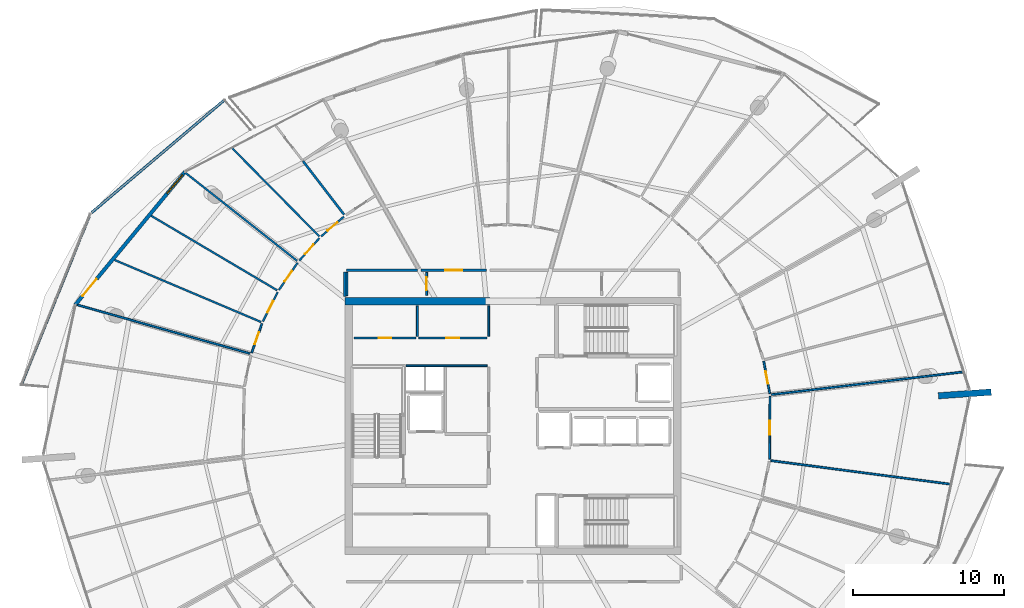
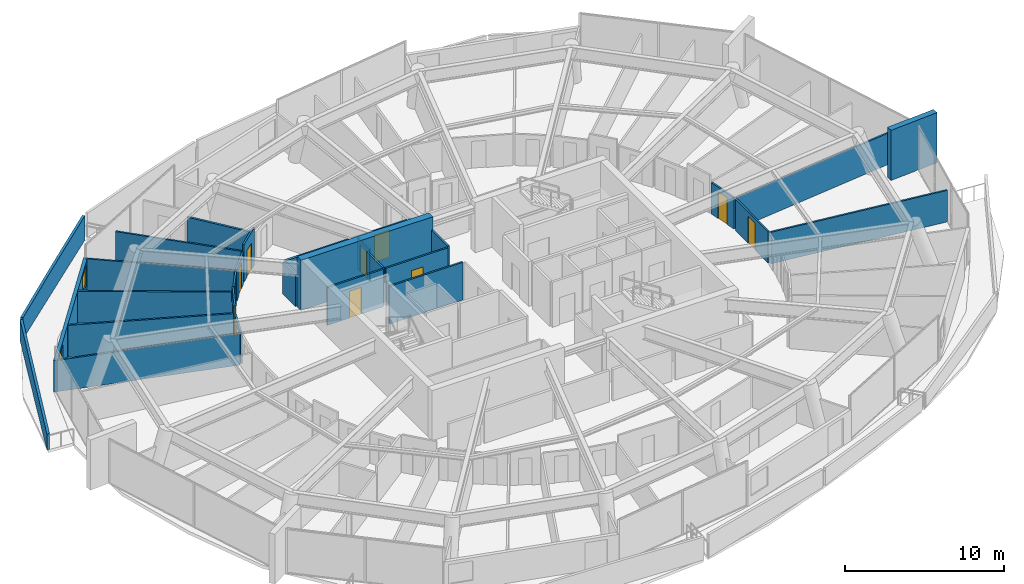
# One storey, part 21 of 30: 30 walls, 12 doors, 1 window, 13 openings.
"""IFC4 building model written with IfcOpenShell, lengths in metres."""

from ifc_helpers import new_model, si_unit, direction, frame, frame_2d, origin, place, context, subcontext, project, spatial, polyline, rectangle, outline, extrude, material, layer, layer_set, type_object, element, fill, save


model = new_model("IFC4")

# Units and contexts
model_context = context("Model", 3, precision=1e-05, world=origin(), true_north=direction((0.0, 1.0)))
body_context = subcontext(model_context, "Body", "Model", "MODEL_VIEW")
ifc_project = project(units=[si_unit("LENGTHUNIT", "METRE"), si_unit("AREAUNIT", "SQUARE_METRE"), si_unit("VOLUMEUNIT", "CUBIC_METRE"), si_unit("PLANEANGLEUNIT", "RADIAN"), si_unit("MASSUNIT", "GRAM", prefix="KILO")], contexts=[model_context])

# Site, building, storey
site_placement = place(None, origin())
site = spatial("IfcSite", under=ifc_project, at=site_placement, CompositionType="ELEMENT")
building_placement = place(site_placement, origin())
building = spatial("IfcBuilding", under=site, at=building_placement, Name="Kazma Halo Residences", CompositionType="ELEMENT")
storey_placement = place(building_placement, frame((0.0, 0.0, 302.14990234375)))
storey = spatial("IfcBuildingStorey", under=building, at=storey_placement, Name="L76", CompositionType="ELEMENT", Elevation=302.14990234375)

# Walls
ifc_material_1 = material(Name="White Concrete C50/60 Balustrade", Category="concrete")
ifc_layer_1 = layer(ifc_material_1, 0.179931640625)
ifc_layer_set_1 = layer_set([ifc_layer_1], Name="White Concrete C50/60 Balustrade")
wall_type_1 = type_object("IfcWallType", Name="WL-BAL-WAVE-180", PredefinedType="PARAPET", material=ifc_layer_set_1)
wall_1_placement = place(storey_placement, frame((29.34765625, 63.571044921875, 0.0), z_axis=(0.0, 0.0, 1.0), x_axis=(-0.762735629532, -0.646710413896, 0.0)))
element("IfcWall", 1, at=wall_1_placement, inside=storey, type_object=wall_type_1, Name="L76 white wave balustrade wall NW.1", PredefinedType="PARAPET", context=body_context, shape_type="SweptSolid", body=[
    extrude(outline(polyline([(0.0, 0.0), (11.53515625, 0.0), (11.53515625, 1.632080078125), (5.767578125, 1.798095703125), (0.0, 1.860107421875), (0.0, 0.0)])), frame((0.0, 0.08984375, 0.0), z_axis=(0.0, -1.0, 0.0), x_axis=(1.0, 0.0, 0.0)), (0.0, 0.0, 1.0), 0.179931640625),
])
wall_2_placement = place(storey_placement, frame((20.4130859375, 55.922119140625, 0.0), z_axis=(0.0, 0.0, 1.0), x_axis=(-0.374094279698, -0.927390678138, 0.0)))
element("IfcWall", 2, at=wall_2_placement, inside=storey, type_object=wall_type_1, Name="L76 white wave balustrade wall NW.2", PredefinedType="PARAPET", context=body_context, shape_type="SweptSolid", body=[
    extrude(outline(polyline([(0.0, 0.0), (12.07470703125, 0.0), (12.07470703125, 1.233154296875), (6.037353515625, 1.418212890625), (0.0, 1.632080078125), (0.0, 0.0)])), frame((0.0, 0.08984375, 0.0), z_axis=(0.0, -1.0, 0.0), x_axis=(1.0, 0.0, 0.0)), (0.0, 0.0, 1.0), 0.179931640625),
])
ifc_material_2 = material(Name="Pale Concrete C60/75", Category="concrete")
ifc_layer_2 = layer(ifc_material_2, 0.419921875)
ifc_layer_set_2 = layer_set([ifc_layer_2], Name="Pale Concrete C60/75")
wall_type_2 = type_object("IfcWallType", Name="WL-BLADE-420", PredefinedType="SOLIDWALL", material=ifc_layer_set_2)
wall_3_placement = place(storey_placement, frame((76.5625, 43.997314453125, 0.0), z_axis=(0.0, 0.0, 1.0), x_axis=(0.997563824095, 0.069759707979, 0.0)))
element("IfcWall", 3, at=wall_3_placement, inside=storey, type_object=wall_type_2, Name="L76 pale concrete structural blade fin wall BW-04", PredefinedType="SOLIDWALL", context=body_context, shape_type="SweptSolid", body=[
    extrude(rectangle(XDim=3.499755859375, YDim=0.419921875, at=frame_2d((1.75, 0.0))), origin(), (0.0, 0.0, 1.0), 3.85009765625),
])
ifc_material_3 = material(Name="Concrete C60/75", Category="concrete")
ifc_layer_3 = layer(ifc_material_3, 0.5)
ifc_layer_set_3 = layer_set([ifc_layer_3], Name="Concrete C60/75")
wall_type_3 = type_object("IfcWallType", Name="WL-CORE-500", PredefinedType="SHEAR", material=ifc_layer_set_3)
wall_4_placement = place(storey_placement, frame((37.300048828125, 50.25, 0.0), z_axis=(0.0, 0.0, 1.0), x_axis=(1.0, 0.0, 0.0)))
element("IfcWall", 4, at=wall_4_placement, inside=storey, type_object=wall_type_3, Name="L76 central core shear wall NW", PredefinedType="SHEAR", context=body_context, shape_type="SweptSolid", body=[
    extrude(rectangle(XDim=9.599853515625, YDim=0.5, at=frame_2d((4.7998046875, 0.0))), origin(), (0.0, 0.0, 1.0), 3.85009765625),
])

# Wall, opening, door
ifc_material_4 = material(Name="Acoustic Twin-Stud Gypsum")
ifc_layer_4 = layer(ifc_material_4, 0.179931640625)
ifc_layer_set_4 = layer_set([ifc_layer_4], Name="Acoustic Twin-Stud Gypsum")
wall_type_4 = type_object("IfcWallType", Name="WL-DEM-180", PredefinedType="PARTITIONING", material=ifc_layer_set_4)
wall_5_placement = place(storey_placement, frame((46.660888671875, 52.300048828125, 0.0), z_axis=(0.0, 0.0, 1.0), x_axis=(-1.0, 0.0, 0.0)))
wall_5 = element("IfcWall", 5, at=wall_5_placement, inside=storey, type_object=wall_type_4, Name="L76 Apartment 1 entrance corridor wall", PredefinedType="PARTITIONING", context=body_context, shape_type="SweptSolid", body=[
    extrude(rectangle(XDim=4.30908203125, YDim=0.179931640625, at=frame_2d((2.154541015625, 0.0))), origin(), (0.0, 0.0, 1.0), 2.406982421875),
])
opening_1_placement = place(wall_5_placement, frame((1.6044921875, 0.0, 0.0)))
opening_1 = element("IfcOpeningElement", 6, at=opening_1_placement, cuts=wall_5, Name="Opening DA-1100", PredefinedType="OPENING", context=body_context, shape_type="SweptSolid", body=[
    extrude(rectangle(XDim=1.10009765625, YDim=2.10009765625, at=frame_2d((0.550048828125, 1.050048828125))), frame((0.0, 0.099853515625, 0.0), z_axis=(0.0, -1.0, 0.0), x_axis=(1.0, 0.0, 0.0)), (0.0, 0.0, 1.0), 0.199951171875),
])
ifc_material_5 = material(Name="Acoustic Walnut Fire Leaf")
door_type_1 = type_object("IfcDoorType", Name="DR-FD60-1100", OperationType="NOTDEFINED", PredefinedType="DOOR", material=ifc_material_5)
door_1_placement = place(opening_1_placement, origin())
door_1 = element("IfcDoor", 7, at=door_1_placement, inside=storey, type_object=door_type_1, Name="L76 Apartment 1 entrance fire door", OperationType="SINGLE_SWING_RIGHT", OverallHeight=2.10009765625, OverallWidth=1.10009765625, PredefinedType="DOOR", context=body_context, shape_type="SweptSolid", body=[
    extrude(rectangle(XDim=1.10009765625, YDim=2.10009765625, at=frame_2d((0.550048828125, 1.050048828125))), frame((0.0, 0.02490234375, 0.0), z_axis=(0.0, -1.0, 0.0), x_axis=(1.0, 0.0, 0.0)), (0.0, 0.0, 1.0), 0.050048828125),
])
fill(opening_1, door_1)

# Walls
wall_6_placement = place(storey_placement, frame((42.11181640625, 52.300048828125, 0.0), z_axis=(0.0, 0.0, 1.0), x_axis=(-1.0, 0.0, 0.0)))
element("IfcWall", 8, at=wall_6_placement, inside=storey, type_object=wall_type_4, Name="L76 Apartment 2 inner wall 4", PredefinedType="PARTITIONING", context=body_context, shape_type="SweptSolid", body=[
    extrude(rectangle(XDim=4.69189453125, YDim=0.179931640625, at=frame_2d((2.345947265625, 0.0))), origin(), (0.0, 0.0, 1.0), 2.406982421875),
])
wall_7_placement = place(storey_placement, frame((37.300048828125, 52.179931640625, 0.0), z_axis=(0.0, 0.0, 1.0), x_axis=(0.0, -1.0, 0.0)))
element("IfcWall", 9, at=wall_7_placement, inside=storey, type_object=wall_type_4, Name="L76 Apartment 2 inner wall 4", PredefinedType="PARTITIONING", context=body_context, shape_type="SweptSolid", body=[
    extrude(rectangle(XDim=1.624755859375, YDim=0.179931640625, at=frame_2d((0.8125, 0.0))), origin(), (0.0, 0.0, 1.0), 2.406982421875),
])

# Wall, openings, door, window
ifc_material_6 = material(Name="Insulated Pale-Metal Composite Wall")
ifc_layer_5 = layer(ifc_material_6, 0.239990234375)
ifc_layer_set_5 = layer_set([ifc_layer_5], Name="Insulated Pale-Metal Composite Wall")
wall_type_5 = type_object("IfcWallType", Name="WL-EXT-HOST-240", PredefinedType="SOLIDWALL", material=ifc_layer_set_5)
wall_8_placement = place(storey_placement, frame((26.7421875, 58.822021484375, 0.0), z_axis=(0.0, 0.0, 1.0), x_axis=(-0.636680093065, -0.771128043255, 0.0)))
wall_8 = element("IfcWall", 10, at=wall_8_placement, inside=storey, type_object=wall_type_5, Name="L76 exterior terrace-access wall B06", PredefinedType="SOLIDWALL", context=body_context, shape_type="SweptSolid", body=[
    extrude(rectangle(XDim=11.438232421875, YDim=0.239990234375, at=frame_2d((5.71923828125, 0.0))), origin(), (0.0, 0.0, 1.0), 2.400146484375),
])
opening_2_placement = place(wall_8_placement, frame((9.21826171875, 0.0, 0.0)))
opening_2 = element("IfcOpeningElement", 11, at=opening_2_placement, cuts=wall_8, Name="Opening DTR-1600", PredefinedType="OPENING", context=body_context, shape_type="SweptSolid", body=[
    extrude(rectangle(XDim=1.449951171875, YDim=2.14990234375, at=frame_2d((0.72509765625, 1.074951171875))), frame((0.0, 0.1298828125, 0.0), z_axis=(0.0, -1.0, 0.0), x_axis=(1.0, 0.0, 0.0)), (0.0, 0.0, 1.0), 0.260009765625),
])
opening_3_placement = place(wall_8_placement, frame((0.280029296875, 0.0, 0.64990234375)))
opening_3 = element("IfcOpeningElement", 12, at=opening_3_placement, cuts=wall_8, Name="Opening W-1800", PredefinedType="OPENING", context=body_context, shape_type="SweptSolid", body=[
    extrude(rectangle(XDim=1.60009765625, YDim=1.5, at=frame_2d((0.800048828125, 0.75))), frame((0.0, 0.1298828125, 0.0), z_axis=(0.0, -1.0, 0.0), x_axis=(1.0, 0.0, 0.0)), (0.0, 0.0, 1.0), 0.260009765625),
])
ifc_material_7 = material(Name="Aluminium AW-6063 T6 Double-Glazed Terrace Door", Category="aluminium")
door_type_2 = type_object("IfcDoorType", Name="DR-EXT-TERR-1600", OperationType="NOTDEFINED", PredefinedType="DOOR", material=ifc_material_7)
door_2_placement = place(opening_2_placement, origin())
door_2 = element("IfcDoor", 13, at=door_2_placement, inside=storey, type_object=door_type_2, Name="L76 B06 balcony terrace door", OperationType="DOUBLE_DOOR_SLIDING", OverallHeight=2.14990234375, OverallWidth=1.449951171875, PredefinedType="DOOR", context=body_context, shape_type="SweptSolid", body=[
    extrude(rectangle(XDim=1.449951171875, YDim=2.14990234375, at=frame_2d((0.72509765625, 1.074951171875))), frame((0.0, 0.02490234375, 0.0), z_axis=(0.0, -1.0, 0.0), x_axis=(1.0, 0.0, 0.0)), (0.0, 0.0, 1.0), 0.050048828125),
])
fill(opening_2, door_2)
ifc_material_8 = material(Name="Clear Triple-Silver Low-E Glass in Aluminium AW-6063 T6 Frame", Category="aluminium")
window_type = type_object("IfcWindowType", Name="WIN-RES-1800", PartitioningType="DOUBLE_PANEL_VERTICAL", PredefinedType="WINDOW", material=ifc_material_8)
window_placement = place(opening_3_placement, origin())
window = element("IfcWindow", 14, at=window_placement, inside=storey, type_object=window_type, Name="L76 B06 apartment window", OverallHeight=1.5, OverallWidth=1.60009765625, PartitioningType="SINGLE_PANEL", PredefinedType="WINDOW", context=body_context, shape_type="SweptSolid", body=[
    extrude(rectangle(XDim=1.60009765625, YDim=1.5, at=frame_2d((0.800048828125, 0.75))), frame((0.0, 0.030029296875, 0.0), z_axis=(0.0, -1.0, 0.0), x_axis=(1.0, 0.0, 0.0)), (0.0, 0.0, 1.0), 0.06005859375),
])
fill(opening_3, window)

# Walls
ifc_material_9 = material(Name="Gypsum Plasterboard Partition")
ifc_layer_6 = layer(ifc_material_9, 0.125)
ifc_layer_set_6 = layer_set([ifc_layer_6], Name="Gypsum Plasterboard Partition")
wall_type_6 = type_object("IfcWallType", Name="WL-PART-125", PredefinedType="PARTITIONING", material=ifc_layer_set_6)
for number, where, z_axis, x_axis, name in (
    (15, (46.820068359375, 47.919921875, 0.0), (0.0, 0.0, 1.0), (0.0, 1.0, 0.0), "L76 reclaimed north east wall"),
    (16, (42.10009765625, 47.919921875, 0.0), (0.0, 0.0, 1.0), (0.0, 1.0, 0.0), "L76 reclaimed north divider wall"),
):
    element("IfcWall", number, at=place(storey_placement, frame(where, z_axis=z_axis, x_axis=x_axis)), inside=storey, type_object=wall_type_6, Name=name, PredefinedType="PARTITIONING", context=body_context, shape_type="SweptSolid", body=[
        extrude(rectangle(XDim=2.030029296875, YDim=0.125, at=frame_2d((1.01513671875, 0.0))), origin(), (0.0, 0.0, 1.0), 2.89013671875),
    ])

# Wall, opening, door
wall_9_placement = place(storey_placement, frame((37.919921875, 47.820068359375, 0.0), z_axis=(0.0, 0.0, 1.0), x_axis=(1.0, 0.0, 0.0)))
wall_9 = element("IfcWall", 17, at=wall_9_placement, inside=storey, type_object=wall_type_6, Name="L76 reclaimed north W front wall", PredefinedType="PARTITIONING", context=body_context, shape_type="SweptSolid", body=[
    extrude(rectangle(XDim=4.080078125, YDim=0.125, at=frame_2d((2.0400390625, 0.0))), origin(), (0.0, 0.0, 1.0), 2.89013671875),
])
opening_4_placement = place(wall_9_placement, frame((1.614990234375, 0.0, 0.0)))
opening_4 = element("IfcOpeningElement", 18, at=opening_4_placement, cuts=wall_9, Name="Opening DS-850", PredefinedType="OPENING", context=body_context, shape_type="SweptSolid", body=[
    extrude(rectangle(XDim=0.85009765625, YDim=2.06005859375, at=frame_2d((0.425048828125, 1.030029296875))), frame((0.0, 0.072509765625, 0.0), z_axis=(0.0, -1.0, 0.0), x_axis=(1.0, 0.0, 0.0)), (0.0, 0.0, 1.0), 0.14501953125),
])
ifc_material_10 = material(Name="Painted Steel Access Leaf", Category="steel")
door_type_3 = type_object("IfcDoorType", Name="DR-SVC-850", OperationType="NOTDEFINED", PredefinedType="DOOR", material=ifc_material_10)
door_3_placement = place(opening_4_placement, origin())
door_3 = element("IfcDoor", 19, at=door_3_placement, inside=storey, type_object=door_type_3, Name="L76 reclaimed north W door", OperationType="SINGLE_SWING_RIGHT", OverallHeight=2.06005859375, OverallWidth=0.85009765625, PredefinedType="DOOR", context=body_context, shape_type="SweptSolid", body=[
    extrude(rectangle(XDim=0.85009765625, YDim=2.06005859375, at=frame_2d((0.425048828125, 1.030029296875))), frame((0.0, 0.02490234375, 0.0), z_axis=(0.0, -1.0, 0.0), x_axis=(1.0, 0.0, 0.0)), (0.0, 0.0, 1.0), 0.050048828125),
])
fill(opening_4, door_3)

wall_10_placement = place(storey_placement, frame((42.199951171875, 47.820068359375, 0.0), z_axis=(0.0, 0.0, 1.0), x_axis=(1.0, 0.0, 0.0)))
wall_10 = element("IfcWall", 20, at=wall_10_placement, inside=storey, type_object=wall_type_6, Name="L76 reclaimed north E front wall", PredefinedType="PARTITIONING", context=body_context, shape_type="SweptSolid", body=[
    extrude(rectangle(XDim=4.5, YDim=0.125, at=frame_2d((2.25, 0.0))), origin(), (0.0, 0.0, 1.0), 2.89013671875),
])
opening_5_placement = place(wall_10_placement, frame((1.824951171875, 0.0, 0.0)))
opening_5 = element("IfcOpeningElement", 21, at=opening_5_placement, cuts=wall_10, Name="Opening DS-850", PredefinedType="OPENING", context=body_context, shape_type="SweptSolid", body=[
    extrude(rectangle(XDim=0.85009765625, YDim=2.06005859375, at=frame_2d((0.425048828125, 1.030029296875))), frame((0.0, 0.072509765625, 0.0), z_axis=(0.0, -1.0, 0.0), x_axis=(1.0, 0.0, 0.0)), (0.0, 0.0, 1.0), 0.14501953125),
])
door_4_placement = place(opening_5_placement, origin())
door_4 = element("IfcDoor", 22, at=door_4_placement, inside=storey, type_object=door_type_3, Name="L76 reclaimed north E door", OperationType="SINGLE_SWING_LEFT", OverallHeight=2.06005859375, OverallWidth=0.85009765625, PredefinedType="DOOR", context=body_context, shape_type="SweptSolid", body=[
    extrude(rectangle(XDim=0.85009765625, YDim=2.06005859375, at=frame_2d((0.425048828125, 1.030029296875))), frame((0.0, 0.02490234375, 0.0), z_axis=(0.0, -1.0, 0.0), x_axis=(1.0, 0.0, 0.0)), (0.0, 0.0, 1.0), 0.050048828125),
])
fill(opening_5, door_4)

# Walls
wall_11_placement = place(storey_placement, frame((41.360107421875, 45.97998046875, 0.0), z_axis=(0.0, 0.0, 1.0), x_axis=(1.0, 0.0, 0.0)))
element("IfcWall", 23, at=wall_11_placement, inside=storey, type_object=wall_type_6, Name="L76 core north riser wall", PredefinedType="PARTITIONING", context=body_context, shape_type="SweptSolid", body=[
    extrude(rectangle(XDim=5.35986328125, YDim=0.125, at=frame_2d((2.679931640625, 0.0))), origin(), (0.0, 0.0, 1.0), 2.89013671875),
])
wall_12_placement = place(storey_placement, frame((37.43994140625, 50.6201171875, 0.0), z_axis=(0.0, 0.0, 1.0), x_axis=(0.0, 1.0, 0.0)))
element("IfcWall", 24, at=wall_12_placement, inside=storey, type_object=wall_type_6, Name="L76 west linen end wall", PredefinedType="PARTITIONING", context=body_context, shape_type="SweptSolid", body=[
    extrude(rectangle(XDim=1.539794921875, YDim=0.125, at=frame_2d((0.77001953125, 0.0))), origin(), (0.0, 0.0, 1.0), 2.406982421875),
])

# Wall, opening, door
wall_13_placement = place(storey_placement, frame((42.7099609375, 50.639892578125, 0.0), z_axis=(0.0, 0.0, 1.0), x_axis=(0.0, 1.0, 0.0)))
wall_13 = element("IfcWall", 25, at=wall_13_placement, inside=storey, type_object=wall_type_6, Name="L76 floor linen store door wall", PredefinedType="PARTITIONING", context=body_context, shape_type="SweptSolid", body=[
    extrude(rectangle(XDim=1.52001953125, YDim=0.125, at=frame_2d((0.760009765625, 0.0))), origin(), (0.0, 0.0, 1.0), 2.406982421875),
])
opening_6_placement = place(wall_13_placement, frame((0.3349609375, 0.0, 0.0)))
opening_6 = element("IfcOpeningElement", 26, at=opening_6_placement, cuts=wall_13, Name="Opening DS-850", PredefinedType="OPENING", context=body_context, shape_type="SweptSolid", body=[
    extrude(rectangle(XDim=0.85009765625, YDim=2.06005859375, at=frame_2d((0.425048828125, 1.030029296875))), frame((0.0, 0.072509765625, 0.0), z_axis=(0.0, -1.0, 0.0), x_axis=(1.0, 0.0, 0.0)), (0.0, 0.0, 1.0), 0.14501953125),
])
door_5_placement = place(opening_6_placement, origin())
door_5 = element("IfcDoor", 27, at=door_5_placement, inside=storey, type_object=door_type_3, Name="L76 floor linen store door", OperationType="SINGLE_SWING_LEFT", OverallHeight=2.06005859375, OverallWidth=0.85009765625, PredefinedType="DOOR", context=body_context, shape_type="SweptSolid", body=[
    extrude(rectangle(XDim=0.85009765625, YDim=2.06005859375, at=frame_2d((0.425048828125, 1.030029296875))), frame((0.0, 0.02490234375, 0.0), z_axis=(0.0, -1.0, 0.0), x_axis=(1.0, 0.0, 0.0)), (0.0, 0.0, 1.0), 0.050048828125),
])
fill(opening_6, door_5)

# Wall
wall_14_placement = place(storey_placement, frame((35.605712890625, 54.546142578125, 0.0), z_axis=(0.0, 0.0, 1.0), x_axis=(-0.702793317505, 0.711394091113, 0.0)))
element("IfcWall", 28, at=wall_14_placement, inside=storey, type_object=wall_type_6, Name="L76 Apartment 2 suite divider 4", PredefinedType="PARTITIONING", context=body_context, shape_type="SweptSolid", body=[
    extrude(rectangle(XDim=8.20361328125, YDim=0.125, at=frame_2d((4.101806640625, 0.0))), origin(), (0.0, 0.0, 1.0), 2.425048828125),
])

# Wall, opening, door
wall_15_placement = place(storey_placement, frame((37.238037109375, 55.851318359375, 0.0), z_axis=(0.0, 0.0, 1.0), x_axis=(-0.753512510059, -0.657433568647, 0.0)))
wall_15 = element("IfcWall", 29, at=wall_15_placement, inside=storey, type_object=wall_type_6, Name="L76 Apartment 2 Gourmet Kitchen hall wall", PredefinedType="PARTITIONING", context=body_context, shape_type="SweptSolid", body=[
    extrude(rectangle(XDim=2.00244140625, YDim=0.125, at=frame_2d((1.001220703125, 0.0))), origin(), (0.0, 0.0, 1.0), 2.89013671875),
])
opening_7_placement = place(wall_15_placement, frame((0.576171875, 0.0, 0.0)))
opening_7 = element("IfcOpeningElement", 30, at=opening_7_placement, cuts=wall_15, Name="Opening DB-900", PredefinedType="OPENING", context=body_context, shape_type="SweptSolid", body=[
    extrude(rectangle(XDim=0.85009765625, YDim=2.06005859375, at=frame_2d((0.425048828125, 1.030029296875))), frame((0.0, 0.072509765625, 0.0), z_axis=(0.0, -1.0, 0.0), x_axis=(1.0, 0.0, 0.0)), (0.0, 0.0, 1.0), 0.14501953125),
])
ifc_material_11 = material(Name="Moisture-Sealed Timber Leaf", Category="wood")
door_type_4 = type_object("IfcDoorType", Name="DR-BTH-900", OperationType="NOTDEFINED", PredefinedType="DOOR", material=ifc_material_11)
door_6_placement = place(opening_7_placement, origin())
door_6 = element("IfcDoor", 31, at=door_6_placement, inside=storey, type_object=door_type_4, Name="L76 Apartment 2 Gourmet Kitchen door", OperationType="SINGLE_SWING_LEFT", OverallHeight=2.06005859375, OverallWidth=0.85009765625, PredefinedType="DOOR", context=body_context, shape_type="SweptSolid", body=[
    extrude(rectangle(XDim=0.85009765625, YDim=2.06005859375, at=frame_2d((0.425048828125, 1.030029296875))), frame((0.0, 0.02490234375, 0.0), z_axis=(0.0, -1.0, 0.0), x_axis=(1.0, 0.0, 0.0)), (0.0, 0.0, 1.0), 0.050048828125),
])
fill(opening_7, door_6)

wall_16_placement = place(storey_placement, frame((35.615478515625, 54.422607421875, 0.0), z_axis=(0.0, 0.0, 1.0), x_axis=(-0.666422295253, -0.745574492851, 0.0)))
wall_16 = element("IfcWall", 32, at=wall_16_placement, inside=storey, type_object=wall_type_6, Name="L76 Apartment 2 Primary Bedroom hall wall", PredefinedType="PARTITIONING", context=body_context, shape_type="SweptSolid", body=[
    extrude(rectangle(XDim=1.992431640625, YDim=0.125, at=frame_2d((0.99609375, 0.0))), origin(), (0.0, 0.0, 1.0), 2.406982421875),
])
opening_8_placement = place(wall_16_placement, frame((0.5712890625, 0.0, 0.0)))
opening_8 = element("IfcOpeningElement", 33, at=opening_8_placement, cuts=wall_16, Name="Opening DB-900", PredefinedType="OPENING", context=body_context, shape_type="SweptSolid", body=[
    extrude(rectangle(XDim=0.85009765625, YDim=2.06005859375, at=frame_2d((0.425048828125, 1.030029296875))), frame((0.0, 0.072509765625, 0.0), z_axis=(0.0, -1.0, 0.0), x_axis=(1.0, 0.0, 0.0)), (0.0, 0.0, 1.0), 0.14501953125),
])
door_7_placement = place(opening_8_placement, origin())
door_7 = element("IfcDoor", 34, at=door_7_placement, inside=storey, type_object=door_type_4, Name="L76 Apartment 2 Primary Bedroom door", OperationType="SINGLE_SWING_RIGHT", OverallHeight=2.06005859375, OverallWidth=0.85009765625, PredefinedType="DOOR", context=body_context, shape_type="SweptSolid", body=[
    extrude(rectangle(XDim=0.85009765625, YDim=2.06005859375, at=frame_2d((0.425048828125, 1.030029296875))), frame((0.0, 0.02490234375, 0.0), z_axis=(0.0, -1.0, 0.0), x_axis=(1.0, 0.0, 0.0)), (0.0, 0.0, 1.0), 0.050048828125),
])
fill(opening_8, door_7)

# Walls
wall_17_placement = place(storey_placement, frame((34.142333984375, 52.924560546875, 0.0), z_axis=(0.0, 0.0, 1.0), x_axis=(-0.785325513659, 0.619083061952, 0.0)))
element("IfcWall", 35, at=wall_17_placement, inside=storey, type_object=wall_type_6, Name="L76 Apartment 2 radial partition 5", PredefinedType="PARTITIONING", context=body_context, shape_type="SweptSolid", body=[
    extrude(rectangle(XDim=9.4384765625, YDim=0.125, at=frame_2d((4.71923828125, 0.0))), origin(), (0.0, 0.0, 1.0), 2.406982421875),
])
wall_18_placement = place(storey_placement, frame((32.81982421875, 50.977294921875, 0.0), z_axis=(0.0, 0.0, 1.0), x_axis=(-0.860726523095, 0.509067630517, 0.0)))
element("IfcWall", 36, at=wall_18_placement, inside=storey, type_object=wall_type_6, Name="L76 Apartment 2 bay wall 1 5", PredefinedType="PARTITIONING", context=body_context, shape_type="SweptSolid", body=[
    extrude(rectangle(XDim=9.675048828125, YDim=0.125, at=frame_2d((4.83740234375, 0.0))), origin(), (0.0, 0.0, 1.0), 2.425048828125),
])
wall_19_placement = place(storey_placement, frame((31.760009765625, 48.876708984375, 0.0), z_axis=(0.0, 0.0, 1.0), x_axis=(-0.92084933412, 0.389918586183, 0.0)))
element("IfcWall", 37, at=wall_19_placement, inside=storey, type_object=wall_type_6, Name="L76 Apartment 2 bay wall 2 5", PredefinedType="PARTITIONING", context=body_context, shape_type="SweptSolid", body=[
    extrude(rectangle(XDim=10.51953125, YDim=0.125, at=frame_2d((5.259765625, 0.0))), origin(), (0.0, 0.0, 1.0), 2.425048828125),
])

# Wall, opening, door
wall_20_placement = place(storey_placement, frame((34.175537109375, 52.796630859375, 0.0), z_axis=(0.0, 0.0, 1.0), x_axis=(-0.565297740474, -0.824886940505, 0.0)))
wall_20 = element("IfcWall", 38, at=wall_20_placement, inside=storey, type_object=wall_type_6, Name="L76 Apartment 2 North Bedroom hall wall", PredefinedType="PARTITIONING", context=body_context, shape_type="SweptSolid", body=[
    extrude(rectangle(XDim=2.180908203125, YDim=0.125, at=frame_2d((1.09033203125, 0.0))), origin(), (0.0, 0.0, 1.0), 2.406982421875),
])
opening_9_placement = place(wall_20_placement, frame((0.66552734375, 0.0, 0.0)))
opening_9 = element("IfcOpeningElement", 39, at=opening_9_placement, cuts=wall_20, Name="Opening DB-900", PredefinedType="OPENING", context=body_context, shape_type="SweptSolid", body=[
    extrude(rectangle(XDim=0.85009765625, YDim=2.06005859375, at=frame_2d((0.425048828125, 1.030029296875))), frame((0.0, 0.072509765625, 0.0), z_axis=(0.0, -1.0, 0.0), x_axis=(1.0, 0.0, 0.0)), (0.0, 0.0, 1.0), 0.14501953125),
])
door_8_placement = place(opening_9_placement, origin())
door_8 = element("IfcDoor", 40, at=door_8_placement, inside=storey, type_object=door_type_4, Name="L76 Apartment 2 North Bedroom door", OperationType="SINGLE_SWING_LEFT", OverallHeight=2.06005859375, OverallWidth=0.85009765625, PredefinedType="DOOR", context=body_context, shape_type="SweptSolid", body=[
    extrude(rectangle(XDim=0.85009765625, YDim=2.06005859375, at=frame_2d((0.425048828125, 1.030029296875))), frame((0.0, 0.02490234375, 0.0), z_axis=(0.0, -1.0, 0.0), x_axis=(1.0, 0.0, 0.0)), (0.0, 0.0, 1.0), 0.050048828125),
])
fill(opening_9, door_8)

wall_21_placement = place(storey_placement, frame((32.861328125, 50.860107421875, 0.0), z_axis=(0.0, 0.0, 1.0), x_axis=(-0.450479495765, -0.892786774037, 0.0)))
wall_21 = element("IfcWall", 41, at=wall_21_placement, inside=storey, type_object=wall_type_6, Name="L76 Apartment 2 South Study hall wall", PredefinedType="PARTITIONING", context=body_context, shape_type="SweptSolid", body=[
    extrude(rectangle(XDim=2.180908203125, YDim=0.125, at=frame_2d((1.09033203125, 0.0))), origin(), (0.0, 0.0, 1.0), 2.89013671875),
])
opening_10_placement = place(wall_21_placement, frame((0.66552734375, 0.0, 0.0)))
opening_10 = element("IfcOpeningElement", 42, at=opening_10_placement, cuts=wall_21, Name="Opening DB-900", PredefinedType="OPENING", context=body_context, shape_type="SweptSolid", body=[
    extrude(rectangle(XDim=0.85009765625, YDim=2.06005859375, at=frame_2d((0.425048828125, 1.030029296875))), frame((0.0, 0.072509765625, 0.0), z_axis=(0.0, -1.0, 0.0), x_axis=(1.0, 0.0, 0.0)), (0.0, 0.0, 1.0), 0.14501953125),
])
door_9_placement = place(opening_10_placement, origin())
door_9 = element("IfcDoor", 43, at=door_9_placement, inside=storey, type_object=door_type_4, Name="L76 Apartment 2 South Study door", OperationType="SINGLE_SWING_RIGHT", OverallHeight=2.06005859375, OverallWidth=0.85009765625, PredefinedType="DOOR", context=body_context, shape_type="SweptSolid", body=[
    extrude(rectangle(XDim=0.85009765625, YDim=2.06005859375, at=frame_2d((0.425048828125, 1.030029296875))), frame((0.0, 0.02490234375, 0.0), z_axis=(0.0, -1.0, 0.0), x_axis=(1.0, 0.0, 0.0)), (0.0, 0.0, 1.0), 0.050048828125),
])
fill(opening_10, door_9)

wall_22_placement = place(storey_placement, frame((31.81640625, 48.76611328125, 0.0), z_axis=(0.0, 0.0, 1.0), x_axis=(-0.331313530443, -0.943520717602, 0.0)))
wall_22 = element("IfcWall", 44, at=wall_22_placement, inside=storey, type_object=wall_type_6, Name="L76 Apartment 2 Inner Bedroom hall wall", PredefinedType="PARTITIONING", context=body_context, shape_type="SweptSolid", body=[
    extrude(rectangle(XDim=2.04345703125, YDim=0.125, at=frame_2d((1.021728515625, 0.0))), origin(), (0.0, 0.0, 1.0), 2.406982421875),
])
opening_11_placement = place(wall_22_placement, frame((0.5966796875, 0.0, 0.0)))
opening_11 = element("IfcOpeningElement", 45, at=opening_11_placement, cuts=wall_22, Name="Opening DB-900", PredefinedType="OPENING", context=body_context, shape_type="SweptSolid", body=[
    extrude(rectangle(XDim=0.85009765625, YDim=2.06005859375, at=frame_2d((0.425048828125, 1.030029296875))), frame((0.0, 0.072509765625, 0.0), z_axis=(0.0, -1.0, 0.0), x_axis=(1.0, 0.0, 0.0)), (0.0, 0.0, 1.0), 0.14501953125),
])
door_10_placement = place(opening_11_placement, origin())
door_10 = element("IfcDoor", 46, at=door_10_placement, inside=storey, type_object=door_type_4, Name="L76 Apartment 2 Inner Bedroom door", OperationType="SINGLE_SWING_LEFT", OverallHeight=2.06005859375, OverallWidth=0.85009765625, PredefinedType="DOOR", context=body_context, shape_type="SweptSolid", body=[
    extrude(rectangle(XDim=0.85009765625, YDim=2.06005859375, at=frame_2d((0.425048828125, 1.030029296875))), frame((0.0, 0.02490234375, 0.0), z_axis=(0.0, -1.0, 0.0), x_axis=(1.0, 0.0, 0.0)), (0.0, 0.0, 1.0), 0.050048828125),
])
fill(opening_11, door_10)

# Walls
wall_23_placement = place(storey_placement, frame((31.0166015625, 46.789794921875, 0.0), z_axis=(0.0, 0.0, 1.0), x_axis=(-0.962453678557, 0.271445973691, 0.0)))
element("IfcWall", 47, at=wall_23_placement, inside=storey, type_object=wall_type_6, Name="L76 Apartment 2 radial partition 6", PredefinedType="PARTITIONING", context=body_context, shape_type="SweptSolid", body=[
    extrude(rectangle(XDim=11.849609375, YDim=0.125, at=frame_2d((5.9248046875, 0.0))), origin(), (0.0, 0.0, 1.0), 2.406982421875),
])
wall_24_placement = place(storey_placement, frame((65.486328125, 39.707275390625, 0.0), z_axis=(0.0, 0.0, 1.0), x_axis=(0.991513831428, -0.130001238792, 0.0)))
element("IfcWall", 48, at=wall_24_placement, inside=storey, type_object=wall_type_6, Name="L76 Apartment 2 mid-bay wall 14", PredefinedType="PARTITIONING", context=body_context, shape_type="SweptSolid", body=[
    extrude(rectangle(XDim=11.99658203125, YDim=0.125, at=frame_2d((5.998291015625, 0.0))), origin(), (0.0, 0.0, 1.0), 2.425048828125),
])

# Wall, opening, door
wall_25_placement = place(storey_placement, frame((65.397705078125, 39.798828125, 0.0), z_axis=(0.0, 0.0, 1.0), x_axis=(0.006274064384, 0.999980317864, 0.0)))
wall_25 = element("IfcWall", 49, at=wall_25_placement, inside=storey, type_object=wall_type_6, Name="L76 Apartment 2 Garden Formal Dining Room hall wall", PredefinedType="PARTITIONING", context=body_context, shape_type="SweptSolid", body=[
    extrude(rectangle(XDim=4.16357421875, YDim=0.125, at=frame_2d((2.081787109375, 0.0))), origin(), (0.0, 0.0, 1.0), 2.406982421875),
])
opening_12_placement = place(wall_25_placement, frame((1.631591796875, 0.0, 0.0)))
opening_12 = element("IfcOpeningElement", 50, at=opening_12_placement, cuts=wall_25, Name="Opening DI-950", PredefinedType="OPENING", context=body_context, shape_type="SweptSolid", body=[
    extrude(rectangle(XDim=0.89990234375, YDim=2.080078125, at=frame_2d((0.449951171875, 1.0400390625))), frame((0.0, 0.072509765625, 0.0), z_axis=(0.0, -1.0, 0.0), x_axis=(1.0, 0.0, 0.0)), (0.0, 0.0, 1.0), 0.14501953125),
])
ifc_material_12 = material(Name="Timber Veneer Flush Leaf", Category="wood")
door_type_5 = type_object("IfcDoorType", Name="DR-INT-950", OperationType="NOTDEFINED", PredefinedType="DOOR", material=ifc_material_12)
door_11_placement = place(opening_12_placement, origin())
door_11 = element("IfcDoor", 51, at=door_11_placement, inside=storey, type_object=door_type_5, Name="L76 Apartment 2 Garden Formal Dining Room door", OperationType="SINGLE_SWING_RIGHT", OverallHeight=2.080078125, OverallWidth=0.89990234375, PredefinedType="DOOR", context=body_context, shape_type="SweptSolid", body=[
    extrude(rectangle(XDim=0.89990234375, YDim=2.080078125, at=frame_2d((0.449951171875, 1.0400390625))), frame((0.0, 0.02490234375, 0.0), z_axis=(0.0, -1.0, 0.0), x_axis=(1.0, 0.0, 0.0)), (0.0, 0.0, 1.0), 0.050048828125),
])
fill(opening_12, door_11)

# Wall
wall_26_placement = place(storey_placement, frame((65.523681640625, 44.07421875, 0.0), z_axis=(0.0, 0.0, 1.0), x_axis=(0.993069543008, 0.117528221075, 0.0)))
element("IfcWall", 52, at=wall_26_placement, inside=storey, type_object=wall_type_6, Name="L76 Apartment 2 radial partition 15", PredefinedType="PARTITIONING", context=body_context, shape_type="SweptSolid", body=[
    extrude(rectangle(XDim=12.78369140625, YDim=0.125, at=frame_2d((6.391845703125, 0.0))), origin(), (0.0, 0.0, 1.0), 2.406982421875),
])

# Wall, opening, door
wall_27_placement = place(storey_placement, frame((65.40966796875, 44.140869140625, 0.0), z_axis=(0.0, 0.0, 1.0), x_axis=(-0.183463941639, 0.983026440193, 0.0)))
wall_27 = element("IfcWall", 53, at=wall_27_placement, inside=storey, type_object=wall_type_6, Name="L76 Apartment 2 Primary Master Bedroom hall wall", PredefinedType="PARTITIONING", context=body_context, shape_type="SweptSolid", body=[
    extrude(rectangle(XDim=2.18115234375, YDim=0.125, at=frame_2d((1.090576171875, 0.0))), origin(), (0.0, 0.0, 1.0), 2.406982421875),
])
opening_13_placement = place(wall_27_placement, frame((0.66552734375, 0.0, 0.0)))
opening_13 = element("IfcOpeningElement", 54, at=opening_13_placement, cuts=wall_27, Name="Opening DB-900", PredefinedType="OPENING", context=body_context, shape_type="SweptSolid", body=[
    extrude(rectangle(XDim=0.85009765625, YDim=2.06005859375, at=frame_2d((0.425048828125, 1.030029296875))), frame((0.0, 0.072509765625, 0.0), z_axis=(0.0, -1.0, 0.0), x_axis=(1.0, 0.0, 0.0)), (0.0, 0.0, 1.0), 0.14501953125),
])
door_12_placement = place(opening_13_placement, origin())
door_12 = element("IfcDoor", 55, at=door_12_placement, inside=storey, type_object=door_type_4, Name="L76 Apartment 2 Primary Master Bedroom door", OperationType="SINGLE_SWING_LEFT", OverallHeight=2.06005859375, OverallWidth=0.85009765625, PredefinedType="DOOR", context=body_context, shape_type="SweptSolid", body=[
    extrude(rectangle(XDim=0.85009765625, YDim=2.06005859375, at=frame_2d((0.425048828125, 1.030029296875))), frame((0.0, 0.02490234375, 0.0), z_axis=(0.0, -1.0, 0.0), x_axis=(1.0, 0.0, 0.0)), (0.0, 0.0, 1.0), 0.050048828125),
])
fill(opening_13, door_12)

# Wall
ifc_material_13 = material(Name="Moisture-Resistant Gypsum")
ifc_layer_7 = layer(ifc_material_13, 0.14990234375)
ifc_layer_set_7 = layer_set([ifc_layer_7], Name="Moisture-Resistant Gypsum")
wall_type_7 = type_object("IfcWallType", Name="WL-WET-150", PredefinedType="PARTITIONING", material=ifc_layer_set_7)
wall_28_placement = place(storey_placement, frame((37.2509765625, 55.981689453125, 0.0), z_axis=(0.0, 0.0, 1.0), x_axis=(-0.609477935871, 0.792803030826, 0.0)))
element("IfcWall", 56, at=wall_28_placement, inside=storey, type_object=wall_type_7, Name="L76 Apartment 2 Guest Bathroom side wall", PredefinedType="PARTITIONING", context=body_context, shape_type="SweptSolid", body=[
    extrude(rectangle(XDim=4.4599609375, YDim=0.14990234375, at=frame_2d((2.22998046875, 0.0))), origin(), (0.0, 0.0, 1.0), 2.425048828125),
])

save(model, "model.ifc")
